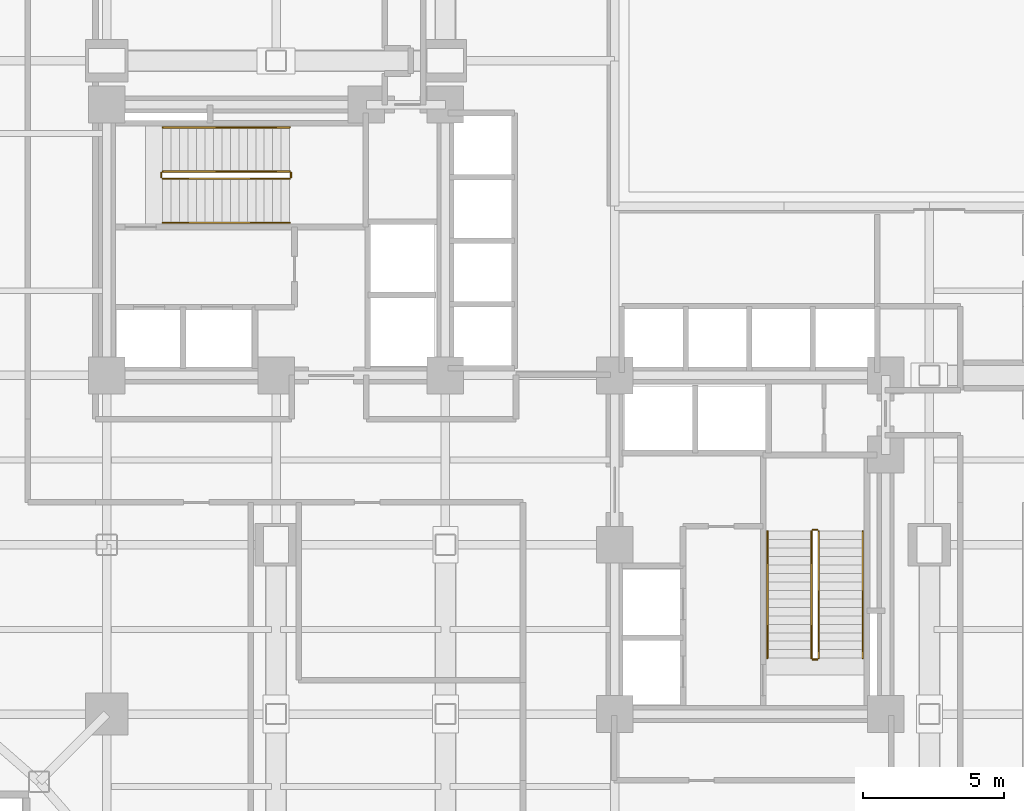
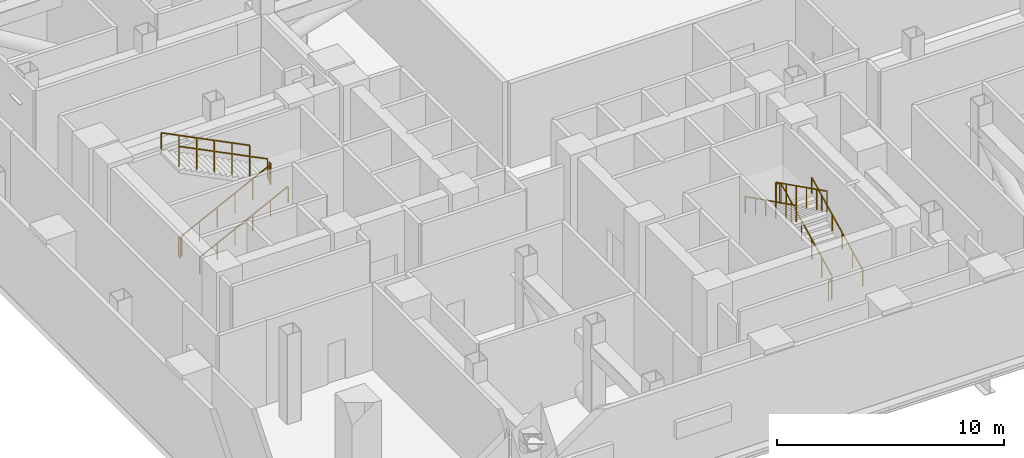
# One storey, part 7 of 8: 12 railings.
"""IFC4 building model written with IfcOpenShell, lengths in metres."""

from ifc_helpers import new_model, si_unit, direction, frame, origin, origin_2d, place, context, subcontext, project, spatial, rectangle, extrude, material, type_object, element, save


model = new_model("IFC4")

# Units and contexts
model_context = context("Model", 3, precision=1e-05, world=origin(), true_north=direction((0.0, 1.0)))
body_context = subcontext(model_context, "Body", "Model", "MODEL_VIEW")
ifc_project = project(units=[si_unit("LENGTHUNIT", "METRE"), si_unit("AREAUNIT", "SQUARE_METRE"), si_unit("VOLUMEUNIT", "CUBIC_METRE"), si_unit("PLANEANGLEUNIT", "RADIAN"), si_unit("MASSUNIT", "GRAM", prefix="KILO"), si_unit("THERMODYNAMICTEMPERATUREUNIT", "KELVIN"), si_unit("POWERUNIT", "WATT")], contexts=[model_context])

# Site, building, storey
site_placement = place(None, origin())
site = spatial("IfcSite", under=ifc_project, at=site_placement, CompositionType="ELEMENT")
building_placement = place(site_placement, origin())
building = spatial("IfcBuilding", under=site, at=building_placement, Name="Svarakhadi Broadcast Tower", CompositionType="ELEMENT")
storey_placement = place(building_placement, frame((0.0, 0.0, 27.60009765625)))
storey = spatial("IfcBuildingStorey", under=building, at=storey_placement, Name="L05", CompositionType="ELEMENT", Elevation=27.60009765625)

# Railings
ifc_material = material(Name="Anodised Bronze Aluminium AA 6063-T6", Category="aluminium")
railing_type_1 = type_object("IfcRailingType", Name="Guard_Stair_GR01", PredefinedType="GUARDRAIL", material=ifc_material)
railing_1_placement = place(storey_placement, frame((7.97998046875, 24.969970703125, 0.14990234375)))
element("IfcRailing", 1, at=railing_1_placement, inside=storey, type_object=railing_type_1, Name="L05 ST-01 stair guard 1", PredefinedType="GUARDRAIL", context=body_context, shape_type="SweptSolid", body=[
    extrude(rectangle(XDim=0.048095703125, YDim=0.048095703125, at=origin_2d()), frame((0.0, 0.0, 1.09619140625), z_axis=(0.894427191, 0.0, 0.4472135955), x_axis=(0.0, 1.0, 0.0)), (0.0, 0.0, 1.0), 5.03125),
    extrude(rectangle(XDim=0.0419921875, YDim=0.0419921875, at=origin_2d()), origin(), (0.0, 0.0, 1.0), 1.072021484375),
    extrude(rectangle(XDim=0.0419921875, YDim=0.0419921875, at=origin_2d()), frame((0.89990234375, 0.0, 0.449951171875)), (0.0, 0.0, 1.0), 1.072021484375),
    extrude(rectangle(XDim=0.0419921875, YDim=0.0419921875, at=origin_2d()), frame((1.800048828125, 0.0, 0.89990234375)), (0.0, 0.0, 1.0), 1.072021484375),
    extrude(rectangle(XDim=0.0419921875, YDim=0.0419921875, at=origin_2d()), frame((2.699951171875, 0.0, 1.35009765625)), (0.0, 0.0, 1.0), 1.072021484375),
    extrude(rectangle(XDim=0.0419921875, YDim=0.0419921875, at=origin_2d()), frame((3.60009765625, 0.0, 1.800048828125)), (0.0, 0.0, 1.0), 1.072021484375),
    extrude(rectangle(XDim=0.0419921875, YDim=0.0419921875, at=origin_2d()), frame((4.5, 0.0, 2.25)), (0.0, 0.0, 1.0), 1.072021484375),
])
railing_2_placement = place(storey_placement, frame((12.530029296875, 25.02001953125, 2.39990234375)))
element("IfcRailing", 2, at=railing_2_placement, inside=storey, type_object=railing_type_1, Name="L05 ST-01 stair guard 2", PredefinedType="GUARDRAIL", context=body_context, shape_type="SweptSolid", body=[
    extrude(rectangle(XDim=0.048095703125, YDim=0.048095703125, at=origin_2d()), frame((0.0, 0.0, 1.09619140625), z_axis=(0.0, 1.0, 0.0), x_axis=(-1.0, 0.0, 0.0)), (0.0, 0.0, 1.0), 0.159912109375),
    extrude(rectangle(XDim=0.0419921875, YDim=0.0419921875, at=origin_2d()), origin(), (0.0, 0.0, 1.0), 1.072021484375),
    extrude(rectangle(XDim=0.0419921875, YDim=0.0419921875, at=origin_2d()), frame((0.0, 0.159912109375, 0.0)), (0.0, 0.0, 1.0), 1.072021484375),
])
railing_3_placement = place(storey_placement, frame((12.47998046875, 25.22998046875, 2.5498046875)))
element("IfcRailing", 3, at=railing_3_placement, inside=storey, type_object=railing_type_1, Name="L05 ST-01 stair guard 3", PredefinedType="GUARDRAIL", context=body_context, shape_type="SweptSolid", body=[
    extrude(rectangle(XDim=0.048095703125, YDim=0.048095703125, at=origin_2d()), frame((0.0, 0.0, 1.09619140625), z_axis=(-0.894427191, 0.0, 0.4472135955), x_axis=(0.0, -1.0, 0.0)), (0.0, 0.0, 1.0), 5.03125),
    extrude(rectangle(XDim=0.0419921875, YDim=0.0419921875, at=origin_2d()), origin(), (0.0, 0.0, 1.0), 1.072021484375),
    extrude(rectangle(XDim=0.0419921875, YDim=0.0419921875, at=origin_2d()), frame((-0.89990234375, 0.0, 0.449951171875)), (0.0, 0.0, 1.0), 1.072021484375),
    extrude(rectangle(XDim=0.0419921875, YDim=0.0419921875, at=origin_2d()), frame((-1.800048828125, 0.0, 0.89990234375)), (0.0, 0.0, 1.0), 1.072021484375),
    extrude(rectangle(XDim=0.0419921875, YDim=0.0419921875, at=origin_2d()), frame((-2.699951171875, 0.0, 1.35009765625)), (0.0, 0.0, 1.0), 1.072021484375),
    extrude(rectangle(XDim=0.0419921875, YDim=0.0419921875, at=origin_2d()), frame((-3.60009765625, 0.0, 1.800048828125)), (0.0, 0.0, 1.0), 1.072021484375),
    extrude(rectangle(XDim=0.0419921875, YDim=0.0419921875, at=origin_2d()), frame((-4.5, 0.0, 2.25)), (0.0, 0.0, 1.0), 1.072021484375),
])
railing_4_placement = place(storey_placement, frame((7.929931640625, 25.02001953125, 0.0)))
element("IfcRailing", 4, at=railing_4_placement, inside=storey, type_object=railing_type_1, Name="L05 ST-01 stair guard 4", PredefinedType="GUARDRAIL", context=body_context, shape_type="SweptSolid", body=[
    extrude(rectangle(XDim=0.048095703125, YDim=0.048095703125, at=origin_2d()), frame((0.0, 0.0, 1.09619140625), z_axis=(0.0, 1.0, 0.0), x_axis=(-1.0, 0.0, 0.0)), (0.0, 0.0, 1.0), 0.159912109375),
    extrude(rectangle(XDim=0.0419921875, YDim=0.0419921875, at=origin_2d()), origin(), (0.0, 0.0, 1.0), 1.072021484375),
    extrude(rectangle(XDim=0.0419921875, YDim=0.0419921875, at=origin_2d()), frame((0.0, 0.159912109375, 0.0)), (0.0, 0.0, 1.0), 1.072021484375),
])
railing_5_placement = place(storey_placement, frame((31.22998046875, 7.97998046875, 0.14990234375)))
element("IfcRailing", 5, at=railing_5_placement, inside=storey, type_object=railing_type_1, Name="L05 ST-02 stair guard 1", PredefinedType="GUARDRAIL", context=body_context, shape_type="SweptSolid", body=[
    extrude(rectangle(XDim=0.048095703125, YDim=0.048095703125, at=origin_2d()), frame((0.0, 0.0, 1.09619140625), z_axis=(0.0, 0.894427191, 0.4472135955), x_axis=(-1.0, 0.0, 0.0)), (0.0, 0.0, 1.0), 5.03125),
    extrude(rectangle(XDim=0.0419921875, YDim=0.0419921875, at=origin_2d()), origin(), (0.0, 0.0, 1.0), 1.072021484375),
    extrude(rectangle(XDim=0.0419921875, YDim=0.0419921875, at=origin_2d()), frame((0.0, 0.89990234375, 0.449951171875)), (0.0, 0.0, 1.0), 1.072021484375),
    extrude(rectangle(XDim=0.0419921875, YDim=0.0419921875, at=origin_2d()), frame((0.0, 1.800048828125, 0.89990234375)), (0.0, 0.0, 1.0), 1.072021484375),
    extrude(rectangle(XDim=0.0419921875, YDim=0.0419921875, at=origin_2d()), frame((0.0, 2.699951171875, 1.35009765625)), (0.0, 0.0, 1.0), 1.072021484375),
    extrude(rectangle(XDim=0.0419921875, YDim=0.0419921875, at=origin_2d()), frame((0.0, 3.60009765625, 1.800048828125)), (0.0, 0.0, 1.0), 1.072021484375),
    extrude(rectangle(XDim=0.0419921875, YDim=0.0419921875, at=origin_2d()), frame((0.0, 4.5, 2.25)), (0.0, 0.0, 1.0), 1.072021484375),
])
railing_6_placement = place(storey_placement, frame((31.179931640625, 12.530029296875, 2.39990234375)))
element("IfcRailing", 6, at=railing_6_placement, inside=storey, type_object=railing_type_1, Name="L05 ST-02 stair guard 2", PredefinedType="GUARDRAIL", context=body_context, shape_type="SweptSolid", body=[
    extrude(rectangle(XDim=0.048095703125, YDim=0.048095703125, at=origin_2d()), frame((0.0, 0.0, 1.09619140625), z_axis=(-1.0, 0.0, 0.0), x_axis=(0.0, -1.0, 0.0)), (0.0, 0.0, 1.0), 0.159912109375),
    extrude(rectangle(XDim=0.0419921875, YDim=0.0419921875, at=origin_2d()), origin(), (0.0, 0.0, 1.0), 1.072021484375),
    extrude(rectangle(XDim=0.0419921875, YDim=0.0419921875, at=origin_2d()), frame((-0.159912109375, 0.0, 0.0)), (0.0, 0.0, 1.0), 1.072021484375),
])
railing_7_placement = place(storey_placement, frame((30.969970703125, 12.47998046875, 2.5498046875)))
element("IfcRailing", 7, at=railing_7_placement, inside=storey, type_object=railing_type_1, Name="L05 ST-02 stair guard 3", PredefinedType="GUARDRAIL", context=body_context, shape_type="SweptSolid", body=[
    extrude(rectangle(XDim=0.048095703125, YDim=0.048095703125, at=origin_2d()), frame((0.0, 0.0, 1.09619140625), z_axis=(0.0, -0.894427191, 0.4472135955), x_axis=(1.0, 0.0, 0.0)), (0.0, 0.0, 1.0), 5.03125),
    extrude(rectangle(XDim=0.0419921875, YDim=0.0419921875, at=origin_2d()), origin(), (0.0, 0.0, 1.0), 1.072021484375),
    extrude(rectangle(XDim=0.0419921875, YDim=0.0419921875, at=origin_2d()), frame((0.0, -0.89990234375, 0.449951171875)), (0.0, 0.0, 1.0), 1.072021484375),
    extrude(rectangle(XDim=0.0419921875, YDim=0.0419921875, at=origin_2d()), frame((0.0, -1.800048828125, 0.89990234375)), (0.0, 0.0, 1.0), 1.072021484375),
    extrude(rectangle(XDim=0.0419921875, YDim=0.0419921875, at=origin_2d()), frame((0.0, -2.699951171875, 1.35009765625)), (0.0, 0.0, 1.0), 1.072021484375),
    extrude(rectangle(XDim=0.0419921875, YDim=0.0419921875, at=origin_2d()), frame((0.0, -3.60009765625, 1.800048828125)), (0.0, 0.0, 1.0), 1.072021484375),
    extrude(rectangle(XDim=0.0419921875, YDim=0.0419921875, at=origin_2d()), frame((0.0, -4.5, 2.25)), (0.0, 0.0, 1.0), 1.072021484375),
])
railing_8_placement = place(storey_placement, frame((31.179931640625, 7.929931640625, 0.0)))
element("IfcRailing", 8, at=railing_8_placement, inside=storey, type_object=railing_type_1, Name="L05 ST-02 stair guard 4", PredefinedType="GUARDRAIL", context=body_context, shape_type="SweptSolid", body=[
    extrude(rectangle(XDim=0.048095703125, YDim=0.048095703125, at=origin_2d()), frame((0.0, 0.0, 1.09619140625), z_axis=(-1.0, 0.0, 0.0), x_axis=(0.0, -1.0, 0.0)), (0.0, 0.0, 1.0), 0.159912109375),
    extrude(rectangle(XDim=0.0419921875, YDim=0.0419921875, at=origin_2d()), origin(), (0.0, 0.0, 1.0), 1.072021484375),
    extrude(rectangle(XDim=0.0419921875, YDim=0.0419921875, at=origin_2d()), frame((-0.159912109375, 0.0, 0.0)), (0.0, 0.0, 1.0), 1.072021484375),
])
railing_type_2 = type_object("IfcRailingType", Name="Handrail_Stair_HR01", PredefinedType="HANDRAIL", material=ifc_material)
railing_9_placement = place(storey_placement, frame((7.97998046875, 23.409912109375, 0.14990234375)))
element("IfcRailing", 9, at=railing_9_placement, inside=storey, type_object=railing_type_2, Name="L05 ST-01 stair handrail 1", PredefinedType="HANDRAIL", context=body_context, shape_type="SweptSolid", body=[
    extrude(rectangle(XDim=0.048095703125, YDim=0.048095703125, at=origin_2d()), frame((0.0, 0.0, 0.8759765625), z_axis=(0.894427191, 0.0, 0.4472135955), x_axis=(0.0, 1.0, 0.0)), (0.0, 0.0, 1.0), 5.03125),
    extrude(rectangle(XDim=0.0419921875, YDim=0.0419921875, at=origin_2d()), origin(), (0.0, 0.0, 1.0), 0.851806640625),
    extrude(rectangle(XDim=0.0419921875, YDim=0.0419921875, at=origin_2d()), frame((0.89990234375, 0.0, 0.449951171875)), (0.0, 0.0, 1.0), 0.851806640625),
    extrude(rectangle(XDim=0.0419921875, YDim=0.0419921875, at=origin_2d()), frame((1.800048828125, 0.0, 0.89990234375)), (0.0, 0.0, 1.0), 0.851806640625),
    extrude(rectangle(XDim=0.0419921875, YDim=0.0419921875, at=origin_2d()), frame((2.699951171875, 0.0, 1.35009765625)), (0.0, 0.0, 1.0), 0.851806640625),
    extrude(rectangle(XDim=0.0419921875, YDim=0.0419921875, at=origin_2d()), frame((3.60009765625, 0.0, 1.800048828125)), (0.0, 0.0, 1.0), 0.851806640625),
    extrude(rectangle(XDim=0.0419921875, YDim=0.0419921875, at=origin_2d()), frame((4.5, 0.0, 2.25)), (0.0, 0.0, 1.0), 0.851806640625),
])
railing_10_placement = place(storey_placement, frame((12.47998046875, 26.7900390625, 2.5498046875)))
element("IfcRailing", 10, at=railing_10_placement, inside=storey, type_object=railing_type_2, Name="L05 ST-01 stair handrail 2", PredefinedType="HANDRAIL", context=body_context, shape_type="SweptSolid", body=[
    extrude(rectangle(XDim=0.048095703125, YDim=0.048095703125, at=origin_2d()), frame((0.0, 0.0, 0.8759765625), z_axis=(-0.894427191, 0.0, 0.4472135955), x_axis=(0.0, -1.0, 0.0)), (0.0, 0.0, 1.0), 5.03125),
    extrude(rectangle(XDim=0.0419921875, YDim=0.0419921875, at=origin_2d()), origin(), (0.0, 0.0, 1.0), 0.851806640625),
    extrude(rectangle(XDim=0.0419921875, YDim=0.0419921875, at=origin_2d()), frame((-0.89990234375, 0.0, 0.449951171875)), (0.0, 0.0, 1.0), 0.851806640625),
    extrude(rectangle(XDim=0.0419921875, YDim=0.0419921875, at=origin_2d()), frame((-1.800048828125, 0.0, 0.89990234375)), (0.0, 0.0, 1.0), 0.851806640625),
    extrude(rectangle(XDim=0.0419921875, YDim=0.0419921875, at=origin_2d()), frame((-2.699951171875, 0.0, 1.35009765625)), (0.0, 0.0, 1.0), 0.851806640625),
    extrude(rectangle(XDim=0.0419921875, YDim=0.0419921875, at=origin_2d()), frame((-3.60009765625, 0.0, 1.800048828125)), (0.0, 0.0, 1.0), 0.851806640625),
    extrude(rectangle(XDim=0.0419921875, YDim=0.0419921875, at=origin_2d()), frame((-4.5, 0.0, 2.25)), (0.0, 0.0, 1.0), 0.851806640625),
])
railing_11_placement = place(storey_placement, frame((32.7900390625, 7.97998046875, 0.14990234375)))
element("IfcRailing", 11, at=railing_11_placement, inside=storey, type_object=railing_type_2, Name="L05 ST-02 stair handrail 1", PredefinedType="HANDRAIL", context=body_context, shape_type="SweptSolid", body=[
    extrude(rectangle(XDim=0.048095703125, YDim=0.048095703125, at=origin_2d()), frame((0.0, 0.0, 0.8759765625), z_axis=(0.0, 0.894427191, 0.4472135955), x_axis=(-1.0, 0.0, 0.0)), (0.0, 0.0, 1.0), 5.03125),
    extrude(rectangle(XDim=0.0419921875, YDim=0.0419921875, at=origin_2d()), origin(), (0.0, 0.0, 1.0), 0.851806640625),
    extrude(rectangle(XDim=0.0419921875, YDim=0.0419921875, at=origin_2d()), frame((0.0, 0.89990234375, 0.449951171875)), (0.0, 0.0, 1.0), 0.851806640625),
    extrude(rectangle(XDim=0.0419921875, YDim=0.0419921875, at=origin_2d()), frame((0.0, 1.800048828125, 0.89990234375)), (0.0, 0.0, 1.0), 0.851806640625),
    extrude(rectangle(XDim=0.0419921875, YDim=0.0419921875, at=origin_2d()), frame((0.0, 2.699951171875, 1.35009765625)), (0.0, 0.0, 1.0), 0.851806640625),
    extrude(rectangle(XDim=0.0419921875, YDim=0.0419921875, at=origin_2d()), frame((0.0, 3.60009765625, 1.800048828125)), (0.0, 0.0, 1.0), 0.851806640625),
    extrude(rectangle(XDim=0.0419921875, YDim=0.0419921875, at=origin_2d()), frame((0.0, 4.5, 2.25)), (0.0, 0.0, 1.0), 0.851806640625),
])
railing_12_placement = place(storey_placement, frame((29.409912109375, 12.47998046875, 2.5498046875)))
element("IfcRailing", 12, at=railing_12_placement, inside=storey, type_object=railing_type_2, Name="L05 ST-02 stair handrail 2", PredefinedType="HANDRAIL", context=body_context, shape_type="SweptSolid", body=[
    extrude(rectangle(XDim=0.048095703125, YDim=0.048095703125, at=origin_2d()), frame((0.0, 0.0, 0.8759765625), z_axis=(0.0, -0.894427191, 0.4472135955), x_axis=(1.0, 0.0, 0.0)), (0.0, 0.0, 1.0), 5.03125),
    extrude(rectangle(XDim=0.0419921875, YDim=0.0419921875, at=origin_2d()), origin(), (0.0, 0.0, 1.0), 0.851806640625),
    extrude(rectangle(XDim=0.0419921875, YDim=0.0419921875, at=origin_2d()), frame((0.0, -0.89990234375, 0.449951171875)), (0.0, 0.0, 1.0), 0.851806640625),
    extrude(rectangle(XDim=0.0419921875, YDim=0.0419921875, at=origin_2d()), frame((0.0, -1.800048828125, 0.89990234375)), (0.0, 0.0, 1.0), 0.851806640625),
    extrude(rectangle(XDim=0.0419921875, YDim=0.0419921875, at=origin_2d()), frame((0.0, -2.699951171875, 1.35009765625)), (0.0, 0.0, 1.0), 0.851806640625),
    extrude(rectangle(XDim=0.0419921875, YDim=0.0419921875, at=origin_2d()), frame((0.0, -3.60009765625, 1.800048828125)), (0.0, 0.0, 1.0), 0.851806640625),
    extrude(rectangle(XDim=0.0419921875, YDim=0.0419921875, at=origin_2d()), frame((0.0, -4.5, 2.25)), (0.0, 0.0, 1.0), 0.851806640625),
])

save(model, "model.ifc")
